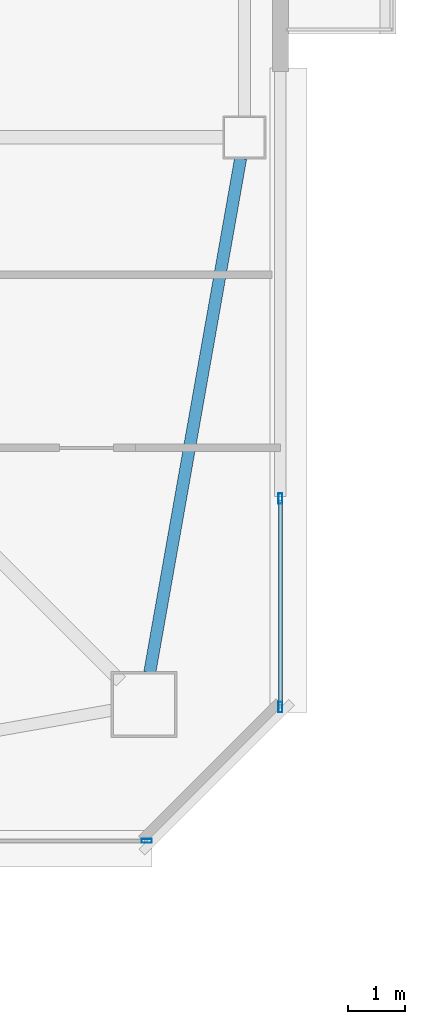
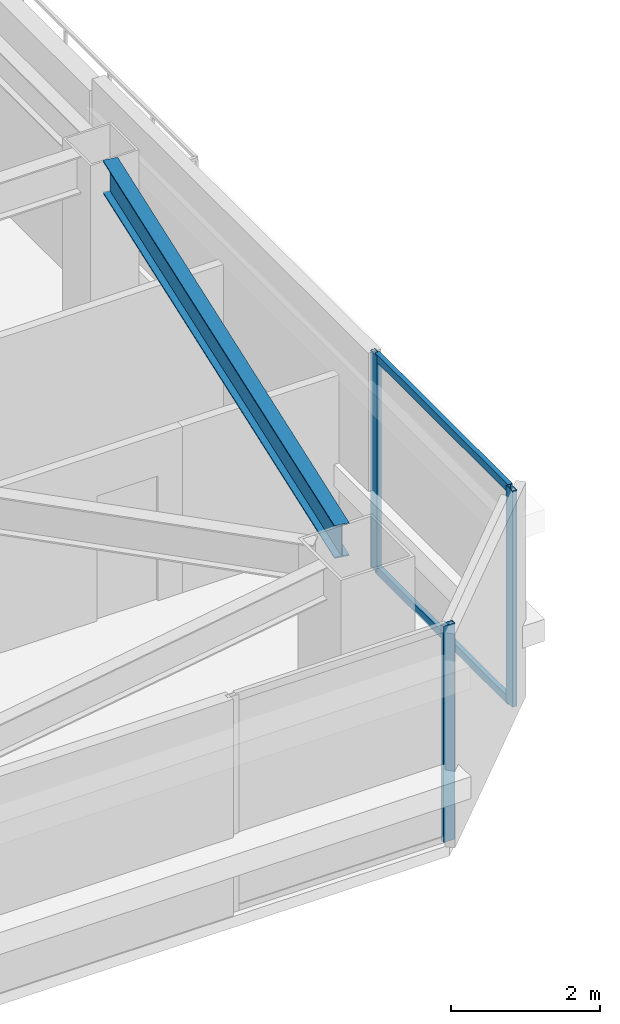
# One storey, part 9 of 41: 5 members, 1 beam, 2 elements without a shape of their own.
"""IFC4 building model written with IfcOpenShell, lengths in metres."""

from ifc_helpers import new_model, si_unit, direction, frame, origin, origin_2d, place, context, subcontext, project, spatial, hollow_rectangle, i_section, extrude, material, material_profile, profile_set, type_object, element, aggregate, save


model = new_model("IFC4")

# Units and contexts
model_context = context("Model", 3, precision=1e-05, world=origin(), true_north=direction((0.0, 1.0)))
body_context = subcontext(model_context, "Body", "Model", "MODEL_VIEW")
ifc_project = project(units=[si_unit("LENGTHUNIT", "METRE"), si_unit("AREAUNIT", "SQUARE_METRE"), si_unit("VOLUMEUNIT", "CUBIC_METRE"), si_unit("PLANEANGLEUNIT", "RADIAN"), si_unit("MASSUNIT", "GRAM", prefix="KILO")], contexts=[model_context])

# Site, building, storey
site_placement = place(None, origin())
site = spatial("IfcSite", under=ifc_project, at=site_placement, CompositionType="ELEMENT")
building_placement = place(site_placement, origin())
building = spatial("IfcBuilding", under=site, at=building_placement, Name="Tashvorn Skyway Center", CompositionType="ELEMENT")
storey_placement = place(building_placement, frame((0.0, 0.0, 174.75)))
storey = spatial("IfcBuildingStorey", under=building, at=storey_placement, Name="L47", CompositionType="ELEMENT", Elevation=174.75)

# Beam
ifc_material_1 = material(Name="Steel ASTM A992 Grade 50", Category="steel")
ifc_material_profile_1 = material_profile(ifc_material_1, i_section(OverallWidth=0.2109375, OverallDepth=0.5390625, WebThickness=0.01171875, FlangeThickness=0.018798828125, at=origin_2d()), Name="W21X73")
ifc_profile_set_1 = profile_set([ifc_material_profile_1], Name="Steel ASTM A992 Grade 50")
beam_type = type_object("IfcBeamType", Name="BM-SPANDREL-W21X73", PredefinedType="SPANDREL", material=ifc_profile_set_1)
beam_placement = place(storey_placement, frame((57.399169921875, 17.26123046875, 3.1005859375), z_axis=(0.174074160933, 0.984732545667, 0.0), x_axis=(-0.984732545667, 0.174074160933, 0.0)))
element("IfcBeam", 1, at=beam_placement, inside=storey, type_object=beam_type, Name="Tower 1 L47 Spandrel Beam 04", PredefinedType="SPANDREL", context=body_context, shape_type="SweptSolid", body=[
    extrude(i_section(OverallWidth=0.2109375, OverallDepth=0.5390625, WebThickness=0.01171875, FlangeThickness=0.018798828125, at=origin_2d()), origin(), (0.0, 0.0, 1.0), 9.113525390625),
])

# Curtain wall, member
ifc_material_2 = material(Name="Thermally broken bronze-anodized aluminium 6063-T6", Category="aluminium")
curtain_wall_type = type_object("IfcCurtainWallType", Name="CW-CW-Z4", PredefinedType="NOTDEFINED", material=ifc_material_2)
curtain_wall_1_placement = place(storey_placement, origin())
curtain_wall_1 = element("IfcCurtainWall", 2, at=curtain_wall_1_placement, inside=storey, type_object=curtain_wall_type, Name="Tower 1 L47 South Unitised Curtain Wall Glazing Group 1", PredefinedType="NOTDEFINED")
ifc_material_profile_2 = material_profile(ifc_material_2, hollow_rectangle(XDim=0.070068359375, YDim=0.179931640625, WallThickness=0.00390625, at=origin_2d()), Name="ALU-MULL-70x180")
ifc_profile_set_2 = profile_set([ifc_material_profile_2], Name="Thermally broken bronze-anodized aluminium 6063-T6")
member_type_1 = type_object("IfcMemberType", Name="CWM-CW-Z4", PredefinedType="MULLION", material=ifc_profile_set_2)
member_1_placement = place(storey_placement, frame((57.344970703125, 14.320068359375, 0.0), z_axis=(0.0, 0.0, 1.0), x_axis=(0.0, -1.0, 0.0)))
member_1 = element("IfcMember", 3, at=member_1_placement, type_object=member_type_1, Name="CW-Z4 mullion 1", PredefinedType="MULLION", context=body_context, shape_type="SweptSolid", body=[
    extrude(hollow_rectangle(XDim=0.070068359375, YDim=0.179931640625, WallThickness=0.00390625, at=origin_2d()), origin(), (0.0, 0.0, 1.0), 3.550048828125),
])
aggregate(curtain_wall_1, [member_1])

# Curtain wall, members
curtain_wall_2_placement = place(storey_placement, origin())
curtain_wall_2 = element("IfcCurtainWall", 4, at=curtain_wall_2_placement, inside=storey, type_object=curtain_wall_type, Name="Tower 1 L47 East Curtain Wall R Glazing Group 1", PredefinedType="NOTDEFINED")
member_2_placement = place(storey_placement, frame((59.679931640625, 20.294921875, 0.0), z_axis=(0.0, 0.0, 1.0), x_axis=(1.0, 0.0, 0.0)))
member_2 = element("IfcMember", 5, at=member_2_placement, type_object=member_type_1, Name="CW-Z4 mullion 1", PredefinedType="MULLION", context=body_context, shape_type="SweptSolid", body=[
    extrude(hollow_rectangle(XDim=0.070068359375, YDim=0.179931640625, WallThickness=0.00390625, at=origin_2d()), origin(), (0.0, 0.0, 1.0), 3.550048828125),
])
member_3_placement = place(storey_placement, frame((59.679931640625, 16.655029296875, 0.0), z_axis=(0.0, 0.0, 1.0), x_axis=(1.0, 0.0, 0.0)))
member_3 = element("IfcMember", 6, at=member_3_placement, type_object=member_type_1, Name="CW-Z4 mullion 2", PredefinedType="MULLION", context=body_context, shape_type="SweptSolid", body=[
    extrude(hollow_rectangle(XDim=0.070068359375, YDim=0.179931640625, WallThickness=0.00390625, at=origin_2d()), origin(), (0.0, 0.0, 1.0), 3.550048828125),
])
ifc_material_profile_3 = material_profile(ifc_material_2, hollow_rectangle(XDim=0.070068359375, YDim=0.1298828125, WallThickness=0.00390625, at=origin_2d()), Name="ALU-TRAN-70x130")
ifc_profile_set_3 = profile_set([ifc_material_profile_3], Name="Thermally broken bronze-anodized aluminium 6063-T6")
member_type_2 = type_object("IfcMemberType", Name="CWT-CW-Z4", PredefinedType="USERDEFINED", material=ifc_profile_set_3)
member_4_placement = place(storey_placement, frame((59.679931640625, 20.260009765625, 0.034912109375), z_axis=(0.0, -1.0, 0.0), x_axis=(1.0, 0.0, 0.0)))
member_4 = element("IfcMember", 7, at=member_4_placement, type_object=member_type_2, Name="CW-Z4 transom 1.1", ObjectType="TRANSOM", PredefinedType="USERDEFINED", context=body_context, shape_type="SweptSolid", body=[
    extrude(hollow_rectangle(XDim=0.070068359375, YDim=0.1298828125, WallThickness=0.00390625, at=origin_2d()), origin(), (0.0, 0.0, 1.0), 3.570068359375),
])
member_5_placement = place(storey_placement, frame((59.679931640625, 20.260009765625, 3.514892578125), z_axis=(0.0, -1.0, 0.0), x_axis=(1.0, 0.0, 0.0)))
member_5 = element("IfcMember", 8, at=member_5_placement, type_object=member_type_2, Name="CW-Z4 transom 1.2", ObjectType="TRANSOM", PredefinedType="USERDEFINED", context=body_context, shape_type="SweptSolid", body=[
    extrude(hollow_rectangle(XDim=0.070068359375, YDim=0.1298828125, WallThickness=0.00390625, at=origin_2d()), origin(), (0.0, 0.0, 1.0), 3.570068359375),
])
aggregate(curtain_wall_2, [member_2, member_3, member_4, member_5])

save(model, "model.ifc")
